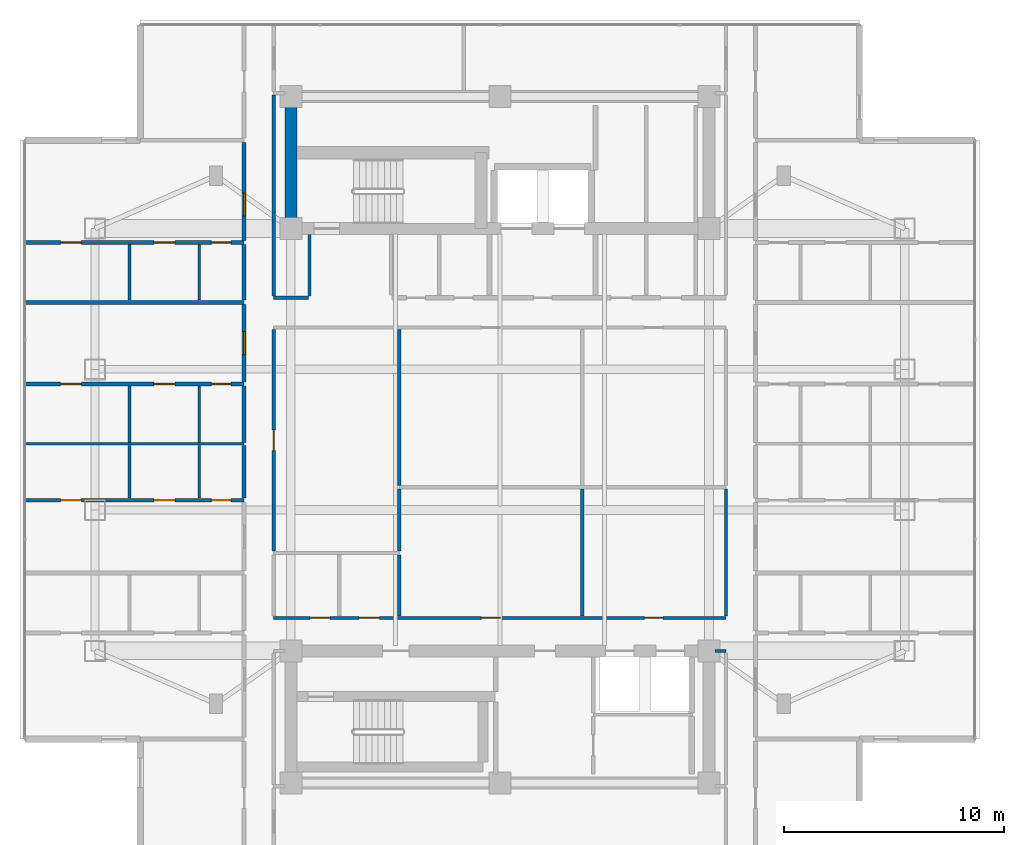
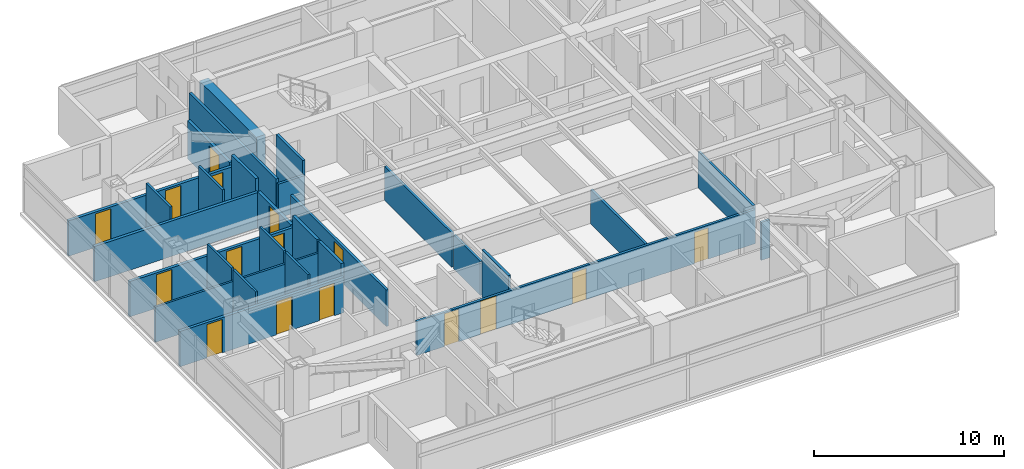
# One storey, part 13 of 25: 28 walls, 16 doors, 16 openings.
"""IFC4 building model written with IfcOpenShell, lengths in metres."""

from ifc_helpers import new_model, si_unit, direction, frame, frame_2d, origin, place, context, subcontext, project, spatial, rectangle, extrude, material, layer, layer_set, type_object, element, fill, save


model = new_model("IFC4")

# Units and contexts
model_context = context("Model", 3, precision=1e-05, world=origin(), true_north=direction((0.0, 1.0)))
body_context = subcontext(model_context, "Body", "Model", "MODEL_VIEW")
ifc_project = project(units=[si_unit("LENGTHUNIT", "METRE"), si_unit("AREAUNIT", "SQUARE_METRE"), si_unit("VOLUMEUNIT", "CUBIC_METRE"), si_unit("PLANEANGLEUNIT", "RADIAN"), si_unit("MASSUNIT", "GRAM", prefix="KILO")], contexts=[model_context])

# Site, building, storey
site_placement = place(None, origin())
site = spatial("IfcSite", under=ifc_project, at=site_placement, CompositionType="ELEMENT")
building_placement = place(site_placement, origin())
building = spatial("IfcBuilding", under=site, at=building_placement, Name="Mirazonda Arch Towers", CompositionType="ELEMENT")
storey_placement = place(building_placement, frame((0.0, 0.0, 177.14990234375)))
storey = spatial("IfcBuildingStorey", under=building, at=storey_placement, Name="L50", CompositionType="ELEMENT", Elevation=177.14990234375)

# Walls
ifc_material_1 = material(Name="Concrete C50/60", Category="concrete")
ifc_layer_1 = layer(ifc_material_1, 0.550048828125, Name="WALL-CORE-550")
ifc_layer_set_1 = layer_set([ifc_layer_1], Name="Concrete C50/60")
wall_type_1 = type_object("IfcWallType", Name="WALL-CORE-550", PredefinedType="SHEAR", material=ifc_layer_set_1)
wall_1_placement = place(storey_placement, frame((11.0, 37.60009765625, 0.0), z_axis=(0.0, 0.0, 1.0), x_axis=(0.0, 1.0, 0.0)))
element("IfcWall", 1, at=wall_1_placement, inside=storey, type_object=wall_type_1, Name="L50 T1N-W Core Shear Wall", PredefinedType="SHEAR", context=body_context, shape_type="SweptSolid", body=[
    extrude(rectangle(XDim=6.0, YDim=0.550048828125, at=frame_2d((3.0, 0.0))), origin(), (0.0, 0.0, 1.0), 3.050048828125),
])
ifc_material_2 = material(Name="Fire-Rated Gypsum Stud Partition")
ifc_layer_2 = layer(ifc_material_2, 0.14990234375, Name="WALL-PART-CORR-150")
ifc_layer_set_2 = layer_set([ifc_layer_2], Name="Fire-Rated Gypsum Stud Partition")
wall_type_2 = type_object("IfcWallType", Name="WALL-PART-CORR-150", PredefinedType="PARTITIONING", material=ifc_layer_set_2)
wall_2_placement = place(storey_placement, frame((30.27001953125, 18.39990234375, 0.0), z_axis=(0.0, 0.0, 1.0), x_axis=(1.0, 0.0, 0.0)))
element("IfcWall", 2, at=wall_2_placement, inside=storey, type_object=wall_type_2, Name="L50 Interior Partition 012", PredefinedType="PARTITIONING", context=body_context, shape_type="SweptSolid", body=[
    extrude(rectangle(XDim=0.510009765625, YDim=0.14990234375, at=frame_2d((0.2548828125, 0.0))), origin(), (0.0, 0.0, 1.0), 2.442138671875),
])

# Wall, openings, doors
wall_3_placement = place(storey_placement, frame((10.219970703125, 19.89990234375, 0.0), z_axis=(0.0, 0.0, 1.0), x_axis=(1.0, 0.0, 0.0)))
wall_3 = element("IfcWall", 3, at=wall_3_placement, inside=storey, type_object=wall_type_2, Name="L50 Interior Partition 016", PredefinedType="PARTITIONING", context=body_context, shape_type="SweptSolid", body=[
    extrude(rectangle(XDim=20.56005859375, YDim=0.14990234375, at=frame_2d((10.280029296875, 0.0))), origin(), (0.0, 0.0, 1.0), 2.18603515625),
])
opening_1_placement = place(wall_3_placement, frame((1.659912109375, 0.0, 0.0)))
opening_1 = element("IfcOpeningElement", 4, at=opening_1_placement, cuts=wall_3, Name="Opening DR-120", PredefinedType="OPENING", context=body_context, shape_type="SweptSolid", body=[
    extrude(rectangle(XDim=0.89990234375, YDim=2.10009765625, at=frame_2d((0.449951171875, 1.050048828125))), frame((0.0, 0.0849609375, 0.0), z_axis=(0.0, -1.0, 0.0), x_axis=(1.0, 0.0, 0.0)), (0.0, 0.0, 1.0), 0.169921875),
])
opening_2_placement = place(wall_3_placement, frame((3.8701171875, 0.0, 0.0)))
opening_2 = element("IfcOpeningElement", 5, at=opening_2_placement, cuts=wall_3, Name="Opening DR-104", PredefinedType="OPENING", context=body_context, shape_type="SweptSolid", body=[
    extrude(rectangle(XDim=0.949951171875, YDim=2.14990234375, at=frame_2d((0.47509765625, 1.074951171875))), frame((0.0, 0.0849609375, 0.0), z_axis=(0.0, -1.0, 0.0), x_axis=(1.0, 0.0, 0.0)), (0.0, 0.0, 1.0), 0.169921875),
])
opening_3_placement = place(wall_3_placement, frame((9.443115234375, 0.0, 0.0)))
opening_3 = element("IfcOpeningElement", 6, at=opening_3_placement, cuts=wall_3, Name="Opening DR-128", PredefinedType="OPENING", context=body_context, shape_type="SweptSolid", body=[
    extrude(rectangle(XDim=0.85009765625, YDim=2.010009765625, at=frame_2d((0.425048828125, 1.0048828125))), frame((0.0, 0.0849609375, 0.0), z_axis=(0.0, -1.0, 0.0), x_axis=(1.0, 0.0, 0.0)), (0.0, 0.0, 1.0), 0.169921875),
])
opening_4_placement = place(wall_3_placement, frame((16.847900390625, 0.0, 0.0)))
opening_4 = element("IfcOpeningElement", 7, at=opening_4_placement, cuts=wall_3, Name="Opening DR-128", PredefinedType="OPENING", context=body_context, shape_type="SweptSolid", body=[
    extrude(rectangle(XDim=0.85009765625, YDim=2.010009765625, at=frame_2d((0.425048828125, 1.0048828125))), frame((0.0, 0.0849609375, 0.0), z_axis=(0.0, -1.0, 0.0), x_axis=(1.0, 0.0, 0.0)), (0.0, 0.0, 1.0), 0.169921875),
])
ifc_material_3 = material(Name="Architectural Brushed Steel S355", Category="steel")
door_type_1 = type_object("IfcDoorType", Name="DOOR-RISER-FD60-850", OperationType="NOTDEFINED", PredefinedType="DOOR", material=ifc_material_3)
door_1_placement = place(opening_3_placement, origin())
door_1 = element("IfcDoor", 8, at=door_1_placement, inside=storey, type_object=door_type_1, Name="L50 Residents Private Library Door", OperationType="SINGLE_SWING_RIGHT", OverallHeight=2.010009765625, OverallWidth=0.85009765625, PredefinedType="DOOR", context=body_context, shape_type="SweptSolid", body=[
    extrude(rectangle(XDim=0.85009765625, YDim=2.010009765625, at=frame_2d((0.425048828125, 1.0048828125))), frame((0.0, 0.02490234375, 0.0), z_axis=(0.0, -1.0, 0.0), x_axis=(1.0, 0.0, 0.0)), (0.0, 0.0, 1.0), 0.050048828125),
])
fill(opening_3, door_1)
door_2_placement = place(opening_4_placement, origin())
door_2 = element("IfcDoor", 9, at=door_2_placement, inside=storey, type_object=door_type_1, Name="L50 Chamber Music & Screening Salon Door", OperationType="SINGLE_SWING_LEFT", OverallHeight=2.010009765625, OverallWidth=0.85009765625, PredefinedType="DOOR", context=body_context, shape_type="SweptSolid", body=[
    extrude(rectangle(XDim=0.85009765625, YDim=2.010009765625, at=frame_2d((0.425048828125, 1.0048828125))), frame((0.0, 0.02490234375, 0.0), z_axis=(0.0, -1.0, 0.0), x_axis=(1.0, 0.0, 0.0)), (0.0, 0.0, 1.0), 0.050048828125),
])
fill(opening_4, door_2)
door_type_2 = type_object("IfcDoorType", Name="DOOR-ROOM-950", OperationType="NOTDEFINED", PredefinedType="DOOR", material=ifc_material_3)
door_3_placement = place(opening_2_placement, origin())
door_3 = element("IfcDoor", 10, at=door_3_placement, inside=storey, type_object=door_type_2, Name="L50 L50 West Courtyard Study Door", OperationType="SINGLE_SWING_RIGHT", OverallHeight=2.14990234375, OverallWidth=0.949951171875, PredefinedType="DOOR", context=body_context, shape_type="SweptSolid", body=[
    extrude(rectangle(XDim=0.949951171875, YDim=2.14990234375, at=frame_2d((0.47509765625, 1.074951171875))), frame((0.0, 0.02490234375, 0.0), z_axis=(0.0, -1.0, 0.0), x_axis=(1.0, 0.0, 0.0)), (0.0, 0.0, 1.0), 0.050048828125),
])
fill(opening_2, door_3)
door_type_3 = type_object("IfcDoorType", Name="DOOR-WC-900", OperationType="NOTDEFINED", PredefinedType="DOOR", material=ifc_material_3)
door_4_placement = place(opening_1_placement, origin())
door_4 = element("IfcDoor", 11, at=door_4_placement, inside=storey, type_object=door_type_3, Name="L50 Common Accessible WC Door", OperationType="SINGLE_SWING_LEFT", OverallHeight=2.10009765625, OverallWidth=0.89990234375, PredefinedType="DOOR", context=body_context, shape_type="SweptSolid", body=[
    extrude(rectangle(XDim=0.89990234375, YDim=2.10009765625, at=frame_2d((0.449951171875, 1.050048828125))), frame((0.0, 0.02490234375, 0.0), z_axis=(0.0, -1.0, 0.0), x_axis=(1.0, 0.0, 0.0)), (0.0, 0.0, 1.0), 0.050048828125),
])
fill(opening_1, door_4)

# Wall
wall_4_placement = place(storey_placement, frame((10.219970703125, 34.449951171875, 0.0), z_axis=(0.0, 0.0, 1.0), x_axis=(1.0, 0.0, 0.0)))
element("IfcWall", 12, at=wall_4_placement, inside=storey, type_object=wall_type_2, Name="L50 Interior Partition 049", PredefinedType="PARTITIONING", context=body_context, shape_type="SweptSolid", body=[
    extrude(rectangle(XDim=1.580078125, YDim=0.14990234375, at=frame_2d((0.7900390625, 0.0))), origin(), (0.0, 0.0, 1.0), 2.18603515625),
])

# Wall, opening, door
wall_5_placement = place(storey_placement, frame((10.219970703125, 22.93505859375, 0.0), z_axis=(0.0, 0.0, 1.0), x_axis=(0.0, 1.0, 0.0)))
wall_5 = element("IfcWall", 13, at=wall_5_placement, inside=storey, type_object=wall_type_2, Name="L50 Interior Partition 085", PredefinedType="PARTITIONING", context=body_context, shape_type="SweptSolid", body=[
    extrude(rectangle(XDim=10.079833984375, YDim=0.14990234375, at=frame_2d((5.0400390625, 0.0))), origin(), (0.0, 0.0, 1.0), 2.34619140625),
])
opening_5_placement = place(wall_5_placement, frame((4.56494140625, 0.0, 0.0)))
opening_5 = element("IfcOpeningElement", 14, at=opening_5_placement, cuts=wall_5, Name="Opening DR-104", PredefinedType="OPENING", context=body_context, shape_type="SweptSolid", body=[
    extrude(rectangle(XDim=0.949951171875, YDim=2.14990234375, at=frame_2d((0.47509765625, 1.074951171875))), frame((0.0, 0.0849609375, 0.0), z_axis=(0.0, -1.0, 0.0), x_axis=(1.0, 0.0, 0.0)), (0.0, 0.0, 1.0), 0.169921875),
])
door_5_placement = place(opening_5_placement, origin())
door_5 = element("IfcDoor", 15, at=door_5_placement, inside=storey, type_object=door_type_2, Name="L50 L50 West Courtyard Salon Door", OperationType="SINGLE_SWING_LEFT", OverallHeight=2.14990234375, OverallWidth=0.949951171875, PredefinedType="DOOR", context=body_context, shape_type="SweptSolid", body=[
    extrude(rectangle(XDim=0.949951171875, YDim=2.14990234375, at=frame_2d((0.47509765625, 1.074951171875))), frame((0.0, 0.02490234375, 0.0), z_axis=(0.0, -1.0, 0.0), x_axis=(1.0, 0.0, 0.0)), (0.0, 0.0, 1.0), 0.050048828125),
])
fill(opening_5, door_5)

# Walls
wall_6_placement = place(storey_placement, frame((10.219970703125, 34.534912109375, 0.0), z_axis=(0.0, 0.0, 1.0), x_axis=(0.0, 1.0, 0.0)))
element("IfcWall", 16, at=wall_6_placement, inside=storey, type_object=wall_type_2, Name="L50 Interior Partition 086", PredefinedType="PARTITIONING", context=body_context, shape_type="SweptSolid", body=[
    extrude(rectangle(XDim=9.130126953125, YDim=0.14990234375, at=frame_2d((4.56494140625, 0.0))), origin(), (0.0, 0.0, 1.0), 2.442138671875),
])
wall_7_placement = place(storey_placement, frame((11.85009765625, 34.534912109375, 0.0), z_axis=(0.0, 0.0, 1.0), x_axis=(0.0, 1.0, 0.0)))
element("IfcWall", 17, at=wall_7_placement, inside=storey, type_object=wall_type_2, Name="L50 Interior Partition 088", PredefinedType="PARTITIONING", context=body_context, shape_type="SweptSolid", body=[
    extrude(rectangle(XDim=2.795166015625, YDim=0.14990234375, at=frame_2d((1.3974609375, 0.0))), origin(), (0.0, 0.0, 1.0), 3.050048828125),
])
wall_8_placement = place(storey_placement, frame((15.929931640625, 19.985107421875, 0.0), z_axis=(0.0, 0.0, 1.0), x_axis=(0.0, 1.0, 0.0)))
element("IfcWall", 18, at=wall_8_placement, inside=storey, type_object=wall_type_2, Name="L50 Interior Partition 091", PredefinedType="PARTITIONING", context=body_context, shape_type="SweptSolid", body=[
    extrude(rectangle(XDim=2.77978515625, YDim=0.14990234375, at=frame_2d((1.389892578125, 0.0))), origin(), (0.0, 0.0, 1.0), 3.050048828125),
])
wall_9_placement = place(storey_placement, frame((15.929931640625, 22.93505859375, 0.0), z_axis=(0.0, 0.0, 1.0), x_axis=(0.0, 1.0, 0.0)))
element("IfcWall", 19, at=wall_9_placement, inside=storey, type_object=wall_type_2, Name="L50 Interior Partition 092", PredefinedType="PARTITIONING", context=body_context, shape_type="SweptSolid", body=[
    extrude(rectangle(XDim=2.81982421875, YDim=0.14990234375, at=frame_2d((1.409912109375, 0.0))), origin(), (0.0, 0.0, 1.0), 2.18603515625),
])
wall_10_placement = place(storey_placement, frame((15.929931640625, 25.925048828125, 0.0), z_axis=(0.0, 0.0, 1.0), x_axis=(0.0, 1.0, 0.0)))
element("IfcWall", 20, at=wall_10_placement, inside=storey, type_object=wall_type_2, Name="L50 Interior Partition 093", PredefinedType="PARTITIONING", context=body_context, shape_type="SweptSolid", body=[
    extrude(rectangle(XDim=7.08984375, YDim=0.14990234375, at=frame_2d((3.544921875, 0.0))), origin(), (0.0, 0.0, 1.0), 2.18603515625),
])
wall_11_placement = place(storey_placement, frame((24.24609375, 19.985107421875, 0.0), z_axis=(0.0, 0.0, 1.0), x_axis=(0.0, 1.0, 0.0)))
element("IfcWall", 21, at=wall_11_placement, inside=storey, type_object=wall_type_2, Name="L50 Interior Partition 101", PredefinedType="PARTITIONING", context=body_context, shape_type="SweptSolid", body=[
    extrude(rectangle(XDim=5.769775390625, YDim=0.14990234375, at=frame_2d((2.884765625, 0.0))), origin(), (0.0, 0.0, 1.0), 2.18603515625),
])
wall_12_placement = place(storey_placement, frame((30.780029296875, 19.985107421875, 0.0), z_axis=(0.0, 0.0, 1.0), x_axis=(0.0, 1.0, 0.0)))
element("IfcWall", 22, at=wall_12_placement, inside=storey, type_object=wall_type_2, Name="L50 Interior Partition 116", PredefinedType="PARTITIONING", context=body_context, shape_type="SweptSolid", body=[
    extrude(rectangle(XDim=5.769775390625, YDim=0.14990234375, at=frame_2d((2.884765625, 0.0))), origin(), (0.0, 0.0, 1.0), 2.34619140625),
])

# Wall, openings, doors
ifc_material_4 = material(Name="Fire-Rated Gypsum Twin-Stud Assembly")
ifc_layer_3 = layer(ifc_material_4, 0.179931640625, Name="WALL-PART-DEMISE-180")
ifc_layer_set_3 = layer_set([ifc_layer_3], Name="Fire-Rated Gypsum Twin-Stud Assembly")
wall_type_3 = type_object("IfcWallType", Name="WALL-PART-DEMISE-180", PredefinedType="PARTITIONING", material=ifc_layer_set_3)
wall_13_placement = place(storey_placement, frame((-1.090087890625, 25.2490234375, 0.0), z_axis=(0.0, 0.0, 1.0), x_axis=(1.0, 0.0, 0.0)))
wall_13 = element("IfcWall", 23, at=wall_13_placement, inside=storey, type_object=wall_type_3, Name="L50 Interior Partition 029", PredefinedType="PARTITIONING", context=body_context, shape_type="SweptSolid", body=[
    extrude(rectangle(XDim=9.969970703125, YDim=0.179931640625, at=frame_2d((4.98486328125, 0.0))), origin(), (0.0, 0.0, 1.0), 2.26904296875),
])
opening_6_placement = place(wall_13_placement, frame((1.6240234375, 0.0, 0.0)))
opening_6 = element("IfcOpeningElement", 24, at=opening_6_placement, cuts=wall_13, Name="Opening DR-104", PredefinedType="OPENING", context=body_context, shape_type="SweptSolid", body=[
    extrude(rectangle(XDim=0.949951171875, YDim=2.14990234375, at=frame_2d((0.47509765625, 1.074951171875))), frame((0.0, 0.099853515625, 0.0), z_axis=(0.0, -1.0, 0.0), x_axis=(1.0, 0.0, 0.0)), (0.0, 0.0, 1.0), 0.199951171875),
])
opening_7_placement = place(wall_13_placement, frame((5.868896484375, 0.0, 0.0)))
opening_7 = element("IfcOpeningElement", 25, at=opening_7_placement, cuts=wall_13, Name="Opening DR-104", PredefinedType="OPENING", context=body_context, shape_type="SweptSolid", body=[
    extrude(rectangle(XDim=0.949951171875, YDim=2.14990234375, at=frame_2d((0.47509765625, 1.074951171875))), frame((0.0, 0.099853515625, 0.0), z_axis=(0.0, -1.0, 0.0), x_axis=(1.0, 0.0, 0.0)), (0.0, 0.0, 1.0), 0.199951171875),
])
opening_8_placement = place(wall_13_placement, frame((8.47998046875, 0.0, 0.0)))
opening_8 = element("IfcOpeningElement", 26, at=opening_8_placement, cuts=wall_13, Name="Opening DR-120", PredefinedType="OPENING", context=body_context, shape_type="SweptSolid", body=[
    extrude(rectangle(XDim=0.89990234375, YDim=2.10009765625, at=frame_2d((0.449951171875, 1.050048828125))), frame((0.0, 0.099853515625, 0.0), z_axis=(0.0, -1.0, 0.0), x_axis=(1.0, 0.0, 0.0)), (0.0, 0.0, 1.0), 0.199951171875),
])
door_6_placement = place(opening_6_placement, origin())
door_6 = element("IfcDoor", 27, at=door_6_placement, inside=storey, type_object=door_type_2, Name="L50 Residence 2 Principal Bedroom Door", OperationType="SINGLE_SWING_LEFT", OverallHeight=2.14990234375, OverallWidth=0.949951171875, PredefinedType="DOOR", context=body_context, shape_type="SweptSolid", body=[
    extrude(rectangle(XDim=0.949951171875, YDim=2.14990234375, at=frame_2d((0.47509765625, 1.074951171875))), frame((0.0, 0.02490234375, 0.0), z_axis=(0.0, -1.0, 0.0), x_axis=(1.0, 0.0, 0.0)), (0.0, 0.0, 1.0), 0.050048828125),
])
fill(opening_6, door_6)
door_7_placement = place(opening_7_placement, origin())
door_7 = element("IfcDoor", 28, at=door_7_placement, inside=storey, type_object=door_type_2, Name="L50 Residence 2 Fitted Kitchen Door", OperationType="SINGLE_SWING_RIGHT", OverallHeight=2.14990234375, OverallWidth=0.949951171875, PredefinedType="DOOR", context=body_context, shape_type="SweptSolid", body=[
    extrude(rectangle(XDim=0.949951171875, YDim=2.14990234375, at=frame_2d((0.47509765625, 1.074951171875))), frame((0.0, 0.02490234375, 0.0), z_axis=(0.0, -1.0, 0.0), x_axis=(1.0, 0.0, 0.0)), (0.0, 0.0, 1.0), 0.050048828125),
])
fill(opening_7, door_7)
door_8_placement = place(opening_8_placement, origin())
door_8 = element("IfcDoor", 29, at=door_8_placement, inside=storey, type_object=door_type_3, Name="L50 Residence 2 Bathroom Door", OperationType="SINGLE_SWING_LEFT", OverallHeight=2.10009765625, OverallWidth=0.89990234375, PredefinedType="DOOR", context=body_context, shape_type="SweptSolid", body=[
    extrude(rectangle(XDim=0.89990234375, YDim=2.10009765625, at=frame_2d((0.449951171875, 1.050048828125))), frame((0.0, 0.02490234375, 0.0), z_axis=(0.0, -1.0, 0.0), x_axis=(1.0, 0.0, 0.0)), (0.0, 0.0, 1.0), 0.050048828125),
])
fill(opening_8, door_8)

wall_14_placement = place(storey_placement, frame((-1.090087890625, 30.531005859375, 0.0), z_axis=(0.0, 0.0, 1.0), x_axis=(1.0, 0.0, 0.0)))
wall_14 = element("IfcWall", 30, at=wall_14_placement, inside=storey, type_object=wall_type_3, Name="L50 Interior Partition 040", PredefinedType="PARTITIONING", context=body_context, shape_type="SweptSolid", body=[
    extrude(rectangle(XDim=9.969970703125, YDim=0.179931640625, at=frame_2d((4.98486328125, 0.0))), origin(), (0.0, 0.0, 1.0), 2.26904296875),
])
opening_9_placement = place(wall_14_placement, frame((1.6240234375, 0.0, 0.0)))
opening_9 = element("IfcOpeningElement", 31, at=opening_9_placement, cuts=wall_14, Name="Opening DR-104", PredefinedType="OPENING", context=body_context, shape_type="SweptSolid", body=[
    extrude(rectangle(XDim=0.949951171875, YDim=2.14990234375, at=frame_2d((0.47509765625, 1.074951171875))), frame((0.0, 0.099853515625, 0.0), z_axis=(0.0, -1.0, 0.0), x_axis=(1.0, 0.0, 0.0)), (0.0, 0.0, 1.0), 0.199951171875),
])
opening_10_placement = place(wall_14_placement, frame((5.868896484375, 0.0, 0.0)))
opening_10 = element("IfcOpeningElement", 32, at=opening_10_placement, cuts=wall_14, Name="Opening DR-104", PredefinedType="OPENING", context=body_context, shape_type="SweptSolid", body=[
    extrude(rectangle(XDim=0.949951171875, YDim=2.14990234375, at=frame_2d((0.47509765625, 1.074951171875))), frame((0.0, 0.099853515625, 0.0), z_axis=(0.0, -1.0, 0.0), x_axis=(1.0, 0.0, 0.0)), (0.0, 0.0, 1.0), 0.199951171875),
])
opening_11_placement = place(wall_14_placement, frame((8.47998046875, 0.0, 0.0)))
opening_11 = element("IfcOpeningElement", 33, at=opening_11_placement, cuts=wall_14, Name="Opening DR-120", PredefinedType="OPENING", context=body_context, shape_type="SweptSolid", body=[
    extrude(rectangle(XDim=0.89990234375, YDim=2.10009765625, at=frame_2d((0.449951171875, 1.050048828125))), frame((0.0, 0.099853515625, 0.0), z_axis=(0.0, -1.0, 0.0), x_axis=(1.0, 0.0, 0.0)), (0.0, 0.0, 1.0), 0.199951171875),
])
door_9_placement = place(opening_9_placement, origin())
door_9 = element("IfcDoor", 34, at=door_9_placement, inside=storey, type_object=door_type_2, Name="L50 Residence 3 Principal Bedroom Door", OperationType="SINGLE_SWING_LEFT", OverallHeight=2.14990234375, OverallWidth=0.949951171875, PredefinedType="DOOR", context=body_context, shape_type="SweptSolid", body=[
    extrude(rectangle(XDim=0.949951171875, YDim=2.14990234375, at=frame_2d((0.47509765625, 1.074951171875))), frame((0.0, 0.02490234375, 0.0), z_axis=(0.0, -1.0, 0.0), x_axis=(1.0, 0.0, 0.0)), (0.0, 0.0, 1.0), 0.050048828125),
])
fill(opening_9, door_9)
door_10_placement = place(opening_10_placement, origin())
door_10 = element("IfcDoor", 35, at=door_10_placement, inside=storey, type_object=door_type_2, Name="L50 Residence 3 Fitted Kitchen Door", OperationType="SINGLE_SWING_RIGHT", OverallHeight=2.14990234375, OverallWidth=0.949951171875, PredefinedType="DOOR", context=body_context, shape_type="SweptSolid", body=[
    extrude(rectangle(XDim=0.949951171875, YDim=2.14990234375, at=frame_2d((0.47509765625, 1.074951171875))), frame((0.0, 0.02490234375, 0.0), z_axis=(0.0, -1.0, 0.0), x_axis=(1.0, 0.0, 0.0)), (0.0, 0.0, 1.0), 0.050048828125),
])
fill(opening_10, door_10)
door_11_placement = place(opening_11_placement, origin())
door_11 = element("IfcDoor", 36, at=door_11_placement, inside=storey, type_object=door_type_3, Name="L50 Residence 3 Bathroom Door", OperationType="SINGLE_SWING_LEFT", OverallHeight=2.10009765625, OverallWidth=0.89990234375, PredefinedType="DOOR", context=body_context, shape_type="SweptSolid", body=[
    extrude(rectangle(XDim=0.89990234375, YDim=2.10009765625, at=frame_2d((0.449951171875, 1.050048828125))), frame((0.0, 0.02490234375, 0.0), z_axis=(0.0, -1.0, 0.0), x_axis=(1.0, 0.0, 0.0)), (0.0, 0.0, 1.0), 0.050048828125),
])
fill(opening_11, door_11)

# Wall
wall_15_placement = place(storey_placement, frame((-1.090087890625, 34.243896484375, 0.0), z_axis=(0.0, 0.0, 1.0), x_axis=(1.0, 0.0, 0.0)))
element("IfcWall", 37, at=wall_15_placement, inside=storey, type_object=wall_type_3, Name="L50 Interior Partition 047", PredefinedType="PARTITIONING", context=body_context, shape_type="SweptSolid", body=[
    extrude(rectangle(XDim=9.969970703125, YDim=0.179931640625, at=frame_2d((4.98486328125, 0.0))), origin(), (0.0, 0.0, 1.0), 2.26904296875),
])

# Wall, openings, doors
wall_16_placement = place(storey_placement, frame((-1.090087890625, 36.964111328125, 0.0), z_axis=(0.0, 0.0, 1.0), x_axis=(1.0, 0.0, 0.0)))
wall_16 = element("IfcWall", 38, at=wall_16_placement, inside=storey, type_object=wall_type_3, Name="L50 Interior Partition 053", PredefinedType="PARTITIONING", context=body_context, shape_type="SweptSolid", body=[
    extrude(rectangle(XDim=9.969970703125, YDim=0.179931640625, at=frame_2d((4.98486328125, 0.0))), origin(), (0.0, 0.0, 1.0), 2.26904296875),
])
opening_12_placement = place(wall_16_placement, frame((1.6240234375, 0.0, 0.0)))
opening_12 = element("IfcOpeningElement", 39, at=opening_12_placement, cuts=wall_16, Name="Opening DR-104", PredefinedType="OPENING", context=body_context, shape_type="SweptSolid", body=[
    extrude(rectangle(XDim=0.949951171875, YDim=2.14990234375, at=frame_2d((0.47509765625, 1.074951171875))), frame((0.0, 0.099853515625, 0.0), z_axis=(0.0, -1.0, 0.0), x_axis=(1.0, 0.0, 0.0)), (0.0, 0.0, 1.0), 0.199951171875),
])
opening_13_placement = place(wall_16_placement, frame((5.868896484375, 0.0, 0.0)))
opening_13 = element("IfcOpeningElement", 40, at=opening_13_placement, cuts=wall_16, Name="Opening DR-104", PredefinedType="OPENING", context=body_context, shape_type="SweptSolid", body=[
    extrude(rectangle(XDim=0.949951171875, YDim=2.14990234375, at=frame_2d((0.47509765625, 1.074951171875))), frame((0.0, 0.099853515625, 0.0), z_axis=(0.0, -1.0, 0.0), x_axis=(1.0, 0.0, 0.0)), (0.0, 0.0, 1.0), 0.199951171875),
])
opening_14_placement = place(wall_16_placement, frame((8.47998046875, 0.0, 0.0)))
opening_14 = element("IfcOpeningElement", 41, at=opening_14_placement, cuts=wall_16, Name="Opening DR-120", PredefinedType="OPENING", context=body_context, shape_type="SweptSolid", body=[
    extrude(rectangle(XDim=0.89990234375, YDim=2.10009765625, at=frame_2d((0.449951171875, 1.050048828125))), frame((0.0, 0.099853515625, 0.0), z_axis=(0.0, -1.0, 0.0), x_axis=(1.0, 0.0, 0.0)), (0.0, 0.0, 1.0), 0.199951171875),
])
door_12_placement = place(opening_12_placement, origin())
door_12 = element("IfcDoor", 42, at=door_12_placement, inside=storey, type_object=door_type_2, Name="L50 Residence 4 Principal Bedroom Door", OperationType="SINGLE_SWING_LEFT", OverallHeight=2.14990234375, OverallWidth=0.949951171875, PredefinedType="DOOR", context=body_context, shape_type="SweptSolid", body=[
    extrude(rectangle(XDim=0.949951171875, YDim=2.14990234375, at=frame_2d((0.47509765625, 1.074951171875))), frame((0.0, 0.02490234375, 0.0), z_axis=(0.0, -1.0, 0.0), x_axis=(1.0, 0.0, 0.0)), (0.0, 0.0, 1.0), 0.050048828125),
])
fill(opening_12, door_12)
door_13_placement = place(opening_13_placement, origin())
door_13 = element("IfcDoor", 43, at=door_13_placement, inside=storey, type_object=door_type_2, Name="L50 Residence 4 Fitted Kitchen Door", OperationType="SINGLE_SWING_RIGHT", OverallHeight=2.14990234375, OverallWidth=0.949951171875, PredefinedType="DOOR", context=body_context, shape_type="SweptSolid", body=[
    extrude(rectangle(XDim=0.949951171875, YDim=2.14990234375, at=frame_2d((0.47509765625, 1.074951171875))), frame((0.0, 0.02490234375, 0.0), z_axis=(0.0, -1.0, 0.0), x_axis=(1.0, 0.0, 0.0)), (0.0, 0.0, 1.0), 0.050048828125),
])
fill(opening_13, door_13)
door_14_placement = place(opening_14_placement, origin())
door_14 = element("IfcDoor", 44, at=door_14_placement, inside=storey, type_object=door_type_3, Name="L50 Residence 4 Bathroom Door", OperationType="SINGLE_SWING_LEFT", OverallHeight=2.10009765625, OverallWidth=0.89990234375, PredefinedType="DOOR", context=body_context, shape_type="SweptSolid", body=[
    extrude(rectangle(XDim=0.89990234375, YDim=2.10009765625, at=frame_2d((0.449951171875, 1.050048828125))), frame((0.0, 0.02490234375, 0.0), z_axis=(0.0, -1.0, 0.0), x_axis=(1.0, 0.0, 0.0)), (0.0, 0.0, 1.0), 0.050048828125),
])
fill(opening_14, door_14)

# Walls
wall_17_placement = place(storey_placement, frame((8.8798828125, 25.34912109375, 0.0), z_axis=(0.0, 0.0, 1.0), x_axis=(0.0, 1.0, 0.0)))
element("IfcWall", 45, at=wall_17_placement, inside=storey, type_object=wall_type_3, Name="L50 Interior Partition 076", PredefinedType="PARTITIONING", context=body_context, shape_type="SweptSolid", body=[
    extrude(rectangle(XDim=2.389404296875, YDim=0.179931640625, at=frame_2d((1.19482421875, 0.0))), origin(), (0.0, 0.0, 1.0), 3.050048828125),
])
wall_18_placement = place(storey_placement, frame((8.8798828125, 27.883544921875, 0.0), z_axis=(0.0, 0.0, 1.0), x_axis=(0.0, 1.0, 0.0)))
element("IfcWall", 46, at=wall_18_placement, inside=storey, type_object=wall_type_3, Name="L50 Interior Partition 077", PredefinedType="PARTITIONING", context=body_context, shape_type="SweptSolid", body=[
    extrude(rectangle(XDim=2.54736328125, YDim=0.179931640625, at=frame_2d((1.273681640625, 0.0))), origin(), (0.0, 0.0, 1.0), 3.050048828125),
])

# Wall, opening, door
wall_19_placement = place(storey_placement, frame((8.8798828125, 30.631103515625, 0.0), z_axis=(0.0, 0.0, 1.0), x_axis=(0.0, 1.0, 0.0)))
wall_19 = element("IfcWall", 47, at=wall_19_placement, inside=storey, type_object=wall_type_3, Name="L50 Interior Partition 078", PredefinedType="PARTITIONING", context=body_context, shape_type="SweptSolid", body=[
    extrude(rectangle(XDim=3.512939453125, YDim=0.179931640625, at=frame_2d((1.75634765625, 0.0))), origin(), (0.0, 0.0, 1.0), 2.34619140625),
])
opening_15_placement = place(wall_19_placement, frame((1.2314453125, 0.0, 0.0)))
opening_15 = element("IfcOpeningElement", 48, at=opening_15_placement, cuts=wall_19, Name="Opening DR-121", PredefinedType="OPENING", context=body_context, shape_type="SweptSolid", body=[
    extrude(rectangle(XDim=1.050048828125, YDim=2.199951171875, at=frame_2d((0.52490234375, 1.10009765625))), frame((0.0, 0.099853515625, 0.0), z_axis=(0.0, -1.0, 0.0), x_axis=(1.0, 0.0, 0.0)), (0.0, 0.0, 1.0), 0.199951171875),
])
door_type_4 = type_object("IfcDoorType", Name="DOOR-SUITE-FD60-1050", OperationType="NOTDEFINED", PredefinedType="DOOR", material=ifc_material_3)
door_15_placement = place(opening_15_placement, origin())
door_15 = element("IfcDoor", 49, at=door_15_placement, inside=storey, type_object=door_type_4, Name="L50 Residence 3 Living & Dining Salon Door", OperationType="SINGLE_SWING_RIGHT", OverallHeight=2.199951171875, OverallWidth=1.050048828125, PredefinedType="DOOR", context=body_context, shape_type="SweptSolid", body=[
    extrude(rectangle(XDim=1.050048828125, YDim=2.199951171875, at=frame_2d((0.52490234375, 1.10009765625))), frame((0.0, 0.02490234375, 0.0), z_axis=(0.0, -1.0, 0.0), x_axis=(1.0, 0.0, 0.0)), (0.0, 0.0, 1.0), 0.050048828125),
])
fill(opening_15, door_15)

# Wall
wall_20_placement = place(storey_placement, frame((8.8798828125, 34.343994140625, 0.0), z_axis=(0.0, 0.0, 1.0), x_axis=(0.0, 1.0, 0.0)))
element("IfcWall", 50, at=wall_20_placement, inside=storey, type_object=wall_type_3, Name="L50 Interior Partition 079", PredefinedType="PARTITIONING", context=body_context, shape_type="SweptSolid", body=[
    extrude(rectangle(XDim=2.52001953125, YDim=0.179931640625, at=frame_2d((1.260009765625, 0.0))), origin(), (0.0, 0.0, 1.0), 3.050048828125),
])

# Wall, opening, door
wall_21_placement = place(storey_placement, frame((8.8798828125, 37.06396484375, 0.0), z_axis=(0.0, 0.0, 1.0), x_axis=(0.0, 1.0, 0.0)))
wall_21 = element("IfcWall", 51, at=wall_21_placement, inside=storey, type_object=wall_type_3, Name="L50 Interior Partition 080", PredefinedType="PARTITIONING", context=body_context, shape_type="SweptSolid", body=[
    extrude(rectangle(XDim=4.447021484375, YDim=0.179931640625, at=frame_2d((2.2236328125, 0.0))), origin(), (0.0, 0.0, 1.0), 2.442138671875),
])
opening_16_placement = place(wall_21_placement, frame((1.098388671875, 0.0, 0.0)))
opening_16 = element("IfcOpeningElement", 52, at=opening_16_placement, cuts=wall_21, Name="Opening DR-121", PredefinedType="OPENING", context=body_context, shape_type="SweptSolid", body=[
    extrude(rectangle(XDim=1.050048828125, YDim=2.199951171875, at=frame_2d((0.52490234375, 1.10009765625))), frame((0.0, 0.099853515625, 0.0), z_axis=(0.0, -1.0, 0.0), x_axis=(1.0, 0.0, 0.0)), (0.0, 0.0, 1.0), 0.199951171875),
])
door_16_placement = place(opening_16_placement, origin())
door_16 = element("IfcDoor", 53, at=door_16_placement, inside=storey, type_object=door_type_4, Name="L50 Residence 4 Living & Dining Salon Door", OperationType="SINGLE_SWING_RIGHT", OverallHeight=2.199951171875, OverallWidth=1.050048828125, PredefinedType="DOOR", context=body_context, shape_type="SweptSolid", body=[
    extrude(rectangle(XDim=1.050048828125, YDim=2.199951171875, at=frame_2d((0.52490234375, 1.10009765625))), frame((0.0, 0.02490234375, 0.0), z_axis=(0.0, -1.0, 0.0), x_axis=(1.0, 0.0, 0.0)), (0.0, 0.0, 1.0), 0.050048828125),
])
fill(opening_16, door_16)

# Walls
ifc_material_5 = material(Name="Acoustic Fire-Rated Gypsum Partition")
ifc_layer_4 = layer(ifc_material_5, 0.125, Name="WALL-PART-UNIT-125")
ifc_layer_set_4 = layer_set([ifc_layer_4], Name="Acoustic Fire-Rated Gypsum Partition")
wall_type_4 = type_object("IfcWallType", Name="WALL-PART-UNIT-125", PredefinedType="PARTITIONING", material=ifc_layer_set_4)
wall_22_placement = place(storey_placement, frame((-1.090087890625, 27.81103515625, 0.0), z_axis=(0.0, 0.0, 1.0), x_axis=(1.0, 0.0, 0.0)))
element("IfcWall", 54, at=wall_22_placement, inside=storey, type_object=wall_type_4, Name="L50 Interior Partition 036", PredefinedType="PARTITIONING", context=body_context, shape_type="SweptSolid", body=[
    extrude(rectangle(XDim=9.969970703125, YDim=0.125, at=frame_2d((4.98486328125, 0.0))), origin(), (0.0, 0.0, 1.0), 2.26904296875),
])
wall_23_placement = place(storey_placement, frame((3.66796875, 25.34912109375, 0.0), z_axis=(0.0, 0.0, 1.0), x_axis=(0.0, 1.0, 0.0)))
element("IfcWall", 55, at=wall_23_placement, inside=storey, type_object=wall_type_4, Name="L50 Interior Partition 065", PredefinedType="PARTITIONING", context=body_context, shape_type="SweptSolid", body=[
    extrude(rectangle(XDim=2.389404296875, YDim=0.125, at=frame_2d((1.19482421875, 0.0))), origin(), (0.0, 0.0, 1.0), 3.050048828125),
])
wall_24_placement = place(storey_placement, frame((3.66796875, 27.883544921875, 0.0), z_axis=(0.0, 0.0, 1.0), x_axis=(0.0, 1.0, 0.0)))
element("IfcWall", 56, at=wall_24_placement, inside=storey, type_object=wall_type_4, Name="L50 Interior Partition 066", PredefinedType="PARTITIONING", context=body_context, shape_type="SweptSolid", body=[
    extrude(rectangle(XDim=2.54736328125, YDim=0.125, at=frame_2d((1.273681640625, 0.0))), origin(), (0.0, 0.0, 1.0), 3.050048828125),
])
wall_25_placement = place(storey_placement, frame((3.66796875, 34.343994140625, 0.0), z_axis=(0.0, 0.0, 1.0), x_axis=(0.0, 1.0, 0.0)))
element("IfcWall", 57, at=wall_25_placement, inside=storey, type_object=wall_type_4, Name="L50 Interior Partition 067", PredefinedType="PARTITIONING", context=body_context, shape_type="SweptSolid", body=[
    extrude(rectangle(XDim=2.52001953125, YDim=0.125, at=frame_2d((1.260009765625, 0.0))), origin(), (0.0, 0.0, 1.0), 3.050048828125),
])
wall_26_placement = place(storey_placement, frame((6.840087890625, 25.34912109375, 0.0), z_axis=(0.0, 0.0, 1.0), x_axis=(0.0, 1.0, 0.0)))
element("IfcWall", 58, at=wall_26_placement, inside=storey, type_object=wall_type_4, Name="L50 Interior Partition 069", PredefinedType="PARTITIONING", context=body_context, shape_type="SweptSolid", body=[
    extrude(rectangle(XDim=2.389404296875, YDim=0.125, at=frame_2d((1.19482421875, 0.0))), origin(), (0.0, 0.0, 1.0), 3.050048828125),
])
wall_27_placement = place(storey_placement, frame((6.840087890625, 27.883544921875, 0.0), z_axis=(0.0, 0.0, 1.0), x_axis=(0.0, 1.0, 0.0)))
element("IfcWall", 59, at=wall_27_placement, inside=storey, type_object=wall_type_4, Name="L50 Interior Partition 070", PredefinedType="PARTITIONING", context=body_context, shape_type="SweptSolid", body=[
    extrude(rectangle(XDim=2.54736328125, YDim=0.125, at=frame_2d((1.273681640625, 0.0))), origin(), (0.0, 0.0, 1.0), 3.050048828125),
])
wall_28_placement = place(storey_placement, frame((6.840087890625, 34.343994140625, 0.0), z_axis=(0.0, 0.0, 1.0), x_axis=(0.0, 1.0, 0.0)))
element("IfcWall", 60, at=wall_28_placement, inside=storey, type_object=wall_type_4, Name="L50 Interior Partition 071", PredefinedType="PARTITIONING", context=body_context, shape_type="SweptSolid", body=[
    extrude(rectangle(XDim=2.52001953125, YDim=0.125, at=frame_2d((1.260009765625, 0.0))), origin(), (0.0, 0.0, 1.0), 3.050048828125),
])

save(model, "model.ifc")
